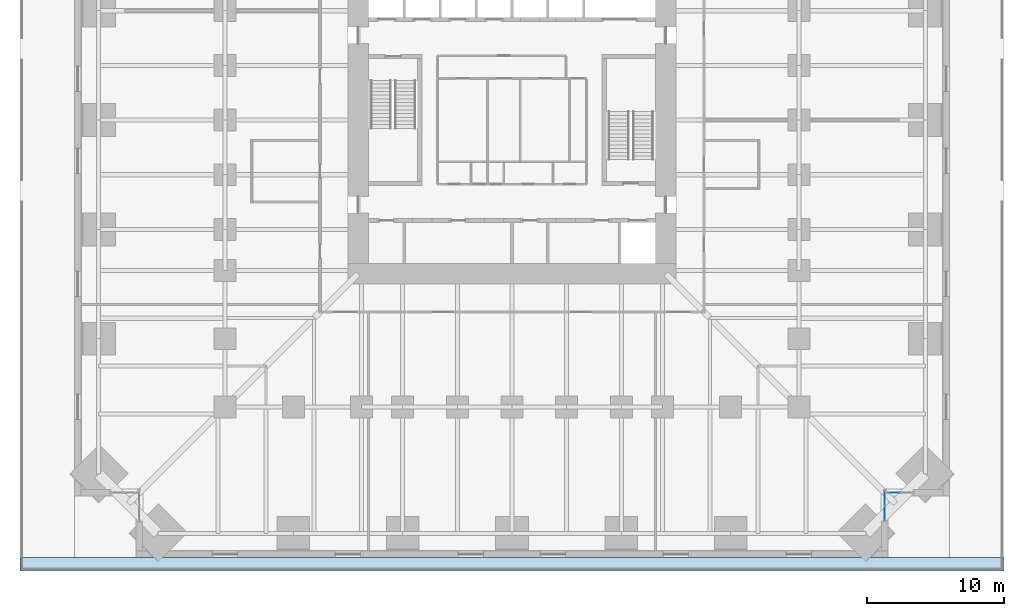
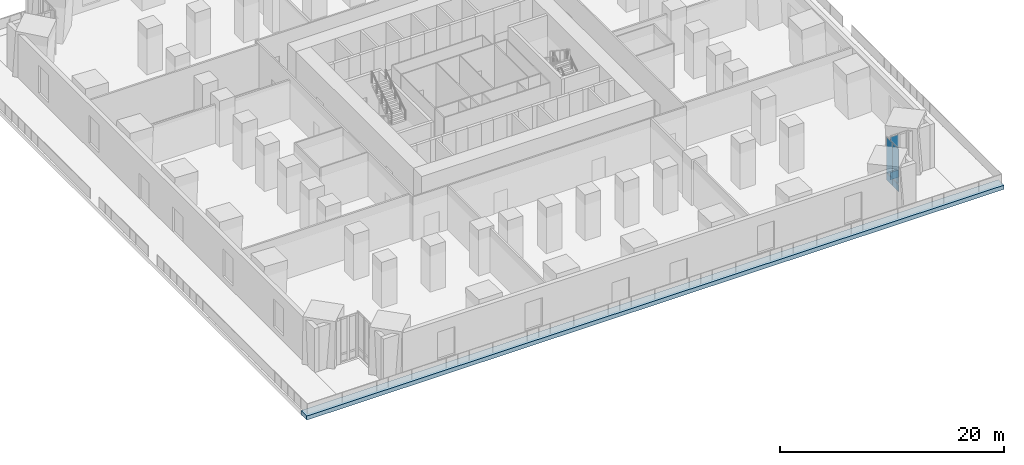
# One storey, part 14 of 26: 6 plates, 1 slab, 2 elements without a shape of their own.
"""IFC4 building model written with IfcOpenShell, lengths in metres."""

import ifcopenshell
import ifcopenshell.guid

model = None  # the IFC model being written
_history = None  # IfcOwnerHistory: only IFC2X3 demands one
_inside = {}  # id of a spatial element -> (the spatial element, [elements in it])
_under = {}  # id of a project, library or spatial element -> (it, [spatial elements below it])
_declared = {}  # id of a project -> (the project, [libraries it declares])
_typed = {}  # id of a type object -> (the type object, [elements of that type])
_made_of = {}  # id of a material, layer set ... -> (it, [elements and type objects made of it])


def new_model(schema):
    """Start an empty IFC model of exactly this schema.

    Asked for "IFC4X3", IfcOpenShell would pick the latest addendum, in which some entities
    have other attributes; the version numbers below select the first issue.
    IFC2X3 requires an IfcOwnerHistory on every rooted entity: one is made here for all.
    """
    global model, _history
    if schema == "IFC4X3":
        model = ifcopenshell.file(schema_version=(4, 3, 0, 0))
    else:
        model = ifcopenshell.file(schema=schema)
    _inside.clear()
    _under.clear()
    _declared.clear()
    _typed.clear()
    _made_of.clear()
    _history = None
    if model.schema == "IFC2X3":
        org = make("IfcOrganization", Name="unknown")
        user = make(
            "IfcPersonAndOrganization",
            ThePerson=make("IfcPerson", FamilyName="unknown"),
            TheOrganization=org,
        )
        app = make(
            "IfcApplication",
            ApplicationDeveloper=org,
            Version="unknown",
            ApplicationFullName="unknown",
            ApplicationIdentifier="unknown",
        )
        _history = make(
            "IfcOwnerHistory",
            OwningUser=user,
            OwningApplication=app,
            ChangeAction="ADDED",
            CreationDate=0,
        )
    return model


def make(cls, **values):
    """One entity of the class cls with the attributes given. An attribute that is None is left unset."""
    return model.create_entity(
        cls, **{name: value for name, value in values.items() if value is not None}
    )


def rooted(cls, **values):
    """An entity with a GlobalId (a new one), such as an element, a storey or a relation."""
    return make(cls, GlobalId=ifcopenshell.guid.new(), OwnerHistory=_history, **values)


def si_unit(unit_type, name, prefix=None):
    """IfcSIUnit, for example si_unit("LENGTHUNIT", "METRE", prefix="MILLI")."""
    return make("IfcSIUnit", UnitType=unit_type, Prefix=prefix, Name=name)


def assignment(units):
    """IfcUnitAssignment: the units of a project."""
    return None if units is None else make("IfcUnitAssignment", Units=units)


def point(xyz):
    """IfcCartesianPoint."""
    return None if xyz is None else make("IfcCartesianPoint", Coordinates=xyz)


def direction(xyz):
    """IfcDirection."""
    return None if xyz is None else make("IfcDirection", DirectionRatios=xyz)


def frame(location, z_axis=None, x_axis=None):
    """IfcAxis2Placement3D, a coordinate frame: its origin and axes. An axis left out is left unset."""
    return make(
        "IfcAxis2Placement3D",
        Location=point(location),
        Axis=direction(z_axis),
        RefDirection=direction(x_axis),
    )


def frame_2d(location, x_axis=None):
    """IfcAxis2Placement2D, a coordinate frame in the plane: its origin and x axis."""
    return make(
        "IfcAxis2Placement2D", Location=point(location), RefDirection=direction(x_axis)
    )


def origin():
    """The frame at (0, 0, 0) with its axes left unset."""
    return frame((0.0, 0.0, 0.0))


def origin_2d():
    """The frame at (0, 0) in the plane with its x axis left unset."""
    return frame_2d((0.0, 0.0))


def place(relative_to, where):
    """IfcLocalPlacement: puts the frame where relative to a parent placement (None: the world)."""
    return make(
        "IfcLocalPlacement", PlacementRelTo=relative_to, RelativePlacement=where
    )


def context(
    kind, dimensions, precision=None, world=None, true_north=None, identifier=None
):
    """IfcGeometricRepresentationContext, for example the 3D "Model" context."""
    return make(
        "IfcGeometricRepresentationContext",
        ContextIdentifier=identifier,
        ContextType=kind,
        CoordinateSpaceDimension=dimensions,
        Precision=precision,
        WorldCoordinateSystem=world,
        TrueNorth=true_north,
    )


def subcontext(parent, identifier, kind, view, scale=None):
    """IfcGeometricRepresentationSubContext, for example "Body" below "Model"."""
    return make(
        "IfcGeometricRepresentationSubContext",
        ContextIdentifier=identifier,
        ContextType=kind,
        ParentContext=parent,
        TargetScale=scale,
        TargetView=view,
    )


def project(units=None, contexts=None):
    """IfcProject with its units and contexts."""
    return rooted(
        "IfcProject",
        Name="project",
        RepresentationContexts=contexts,
        UnitsInContext=assignment(units),
    )


def spatial(cls, under=None, at=None, **own):
    """A site, building, storey or space (cls), placed at a placement, below another one or the project."""
    s = rooted(cls, ObjectPlacement=at, **own)
    if under is not None:
        _under.setdefault(under.id(), (under, []))[1].append(s)
    return s


def polyline(points):
    """IfcPolyline through the points."""
    return make("IfcPolyline", Points=[point(p) for p in points])


def profile(cls, at=None, kind="AREA", **sizes):
    """A parametric profile (cls). Its sizes go by their IFC names, for example OverallWidth=200.0."""
    return make(cls, ProfileType=kind, Position=at, **sizes)


def rectangle(**sizes):
    """IfcRectangleProfileDef."""
    return profile("IfcRectangleProfileDef", **sizes)


def outline(outer, holes=None, kind="AREA"):
    """IfcArbitraryClosedProfileDef: a profile drawn as a closed curve; with holes, ...WithVoids."""
    if holes is None:
        return make("IfcArbitraryClosedProfileDef", ProfileType=kind, OuterCurve=outer)
    return make(
        "IfcArbitraryProfileDefWithVoids",
        ProfileType=kind,
        OuterCurve=outer,
        InnerCurves=holes,
    )


def extrude(swept, where, along, depth):
    """IfcExtrudedAreaSolid: the profile swept, set in the frame where, extruded along a direction by depth."""
    return make(
        "IfcExtrudedAreaSolid",
        SweptArea=swept,
        Position=where,
        ExtrudedDirection=direction(along),
        Depth=depth,
    )


def shape(context_of_items, identifier, shape_type, items):
    """IfcShapeRepresentation: the items that make up one representation, for example the "Body"."""
    return make(
        "IfcShapeRepresentation",
        ContextOfItems=context_of_items,
        RepresentationIdentifier=identifier,
        RepresentationType=shape_type,
        Items=items,
    )


def material(Name=None, Category=None):
    """IfcMaterial."""
    return make("IfcMaterial", Name=Name, Category=Category)


def layer(
    of_material, thickness, ventilated=None, Name=None, Category=None, Priority=None
):
    """IfcMaterialLayer: one layer of a wall or slab, of a material (None: an air gap)."""
    return make(
        "IfcMaterialLayer",
        Material=of_material,
        LayerThickness=thickness,
        IsVentilated=ventilated,
        Name=Name,
        Category=Category,
        Priority=Priority,
    )


def layer_set(layers, Name=None):
    """IfcMaterialLayerSet."""
    return make("IfcMaterialLayerSet", MaterialLayers=layers, LayerSetName=Name)


def made_of(thing, what):
    """Note that an element or type object is made of a material, layer set ...; save() writes the relation."""
    if what is not None:
        _made_of.setdefault(what.id(), (what, []))[1].append(thing)
    return thing


def type_object(cls, material=None, **own):
    """A type object (cls), such as IfcWallType, which elements share."""
    return made_of(rooted(cls, **own), material)


def element(
    cls,
    number,
    at=None,
    inside=None,
    cuts=None,
    type_object=None,
    material=None,
    context=None,
    identifier="Body",
    shape_type=None,
    held_by="IfcProductDefinitionShape",
    body=None,
    shapes=None,
    **own,
):
    """One element of the class cls, such as IfcWall. Its Tag is "e" and its number.

    at: its placement. inside: the storey or other place that contains it. cuts: it is an
    opening in that element (IfcRelVoidsElement). A single representation is given by context,
    identifier, shape_type and body (its items); several are given by shapes. held_by: the class
    of the entity that holds the representations. save() writes the other relations.
    """
    e = rooted(cls, Tag="e%d" % number, ObjectPlacement=at, **own)
    if body is not None:
        shapes = [shape(context, identifier, shape_type, body)]
    if shapes is not None:
        e.Representation = make(held_by, Representations=shapes)
    if inside is not None:
        _inside.setdefault(inside.id(), (inside, []))[1].append(e)
    if cuts is not None:
        rooted(
            "IfcRelVoidsElement", RelatingBuildingElement=cuts, RelatedOpeningElement=e
        )
    if type_object is not None:
        _typed.setdefault(type_object.id(), (type_object, []))[1].append(e)
    return made_of(e, material)


def aggregate(whole, parts):
    """IfcRelAggregates: a whole, such as a stair, and the parts it consists of."""
    return rooted("IfcRelAggregates", RelatingObject=whole, RelatedObjects=parts)


def save(model, path):
    """Write the relations noted so far, then the file.

    IfcRelAggregates (storeys below a building ...), IfcRelContainedInSpatialStructure (elements
    in a storey), IfcRelDefinesByType, IfcRelAssociatesMaterial and IfcRelDeclares: one each for
    every whole, place, type object, material and project.
    """
    for whole, parts in _under.values():
        aggregate(whole, parts)
    for where, things in _inside.values():
        rooted(
            "IfcRelContainedInSpatialStructure",
            RelatedElements=things,
            RelatingStructure=where,
        )
    for kind, things in _typed.values():
        rooted("IfcRelDefinesByType", RelatedObjects=things, RelatingType=kind)
    for what, things in _made_of.values():
        rooted("IfcRelAssociatesMaterial", RelatedObjects=things, RelatingMaterial=what)
    for by, libraries in _declared.values():
        rooted("IfcRelDeclares", RelatingContext=by, RelatedDefinitions=libraries)
    model.write(path)


model = new_model("IFC4")

# Units and contexts
model_context = context("Model", 3, precision=1e-05, world=origin(), true_north=direction((0.0, 1.0)))
body_context = subcontext(model_context, "Body", "Model", "MODEL_VIEW")
ifc_project = project(units=[si_unit("LENGTHUNIT", "METRE"), si_unit("AREAUNIT", "SQUARE_METRE"), si_unit("VOLUMEUNIT", "CUBIC_METRE"), si_unit("PLANEANGLEUNIT", "RADIAN"), si_unit("MASSUNIT", "GRAM", prefix="KILO")], contexts=[model_context])

# Site, building, storey
site_placement = place(None, origin())
site = spatial("IfcSite", under=ifc_project, at=site_placement, CompositionType="ELEMENT")
building_placement = place(site_placement, origin())
building = spatial("IfcBuilding", under=site, at=building_placement, Name="Peilmerk Tower", CompositionType="ELEMENT")
storey_placement = place(building_placement, frame((0.0, 0.0, 16.0)))
storey = spatial("IfcBuildingStorey", under=building, at=storey_placement, Name="L03", CompositionType="ELEMENT", Elevation=16.0)

# Curtain wall, plates
ifc_material_1 = material(Name="Aluminium stick curtain wall", Category="aluminium")
curtain_wall_type = type_object("IfcCurtainWallType", Name="CW1 stick curtain wall, 1500 module", PredefinedType="NOTDEFINED", material=ifc_material_1)
curtain_wall_1_placement = place(storey_placement, origin())
curtain_wall_1 = element("IfcCurtainWall", 1, at=curtain_wall_1_placement, inside=storey, type_object=curtain_wall_type, Name="Curtain wall CW1 SEA L03", PredefinedType="NOTDEFINED")
ifc_material_2 = material(Name="Clear insulated glazing unit", Category="glass")
ifc_layer_1 = layer(ifc_material_2, 0.028076171875)
ifc_layer_set_1 = layer_set([ifc_layer_1], Name="Clear insulated glazing unit")
plate_type = type_object("IfcPlateType", Name="CW1-P 28 glazed panel", PredefinedType="CURTAIN_PANEL", material=ifc_layer_set_1)
plate_1_placement = place(storey_placement, frame((27.27490234375, -27.638427734375, 0.06494140625), z_axis=(0.0, 0.0, 1.0), x_axis=(0.0, -1.0, 0.0)))
plate_1 = element("IfcPlate", 2, at=plate_1_placement, type_object=plate_type, Name="CW1 panel 1.1", PredefinedType="CURTAIN_PANEL", context=body_context, shape_type="SweptSolid", body=[
    extrude(rectangle(XDim=1.046875, YDim=0.028076171875, at=origin_2d()), origin(), (0.0, 0.0, 1.0), 0.802490234375),
])
plate_2_placement = place(storey_placement, frame((27.27490234375, -27.638427734375, 0.9326171875), z_axis=(0.0, 0.0, 1.0), x_axis=(0.0, -1.0, 0.0)))
plate_2 = element("IfcPlate", 3, at=plate_2_placement, type_object=plate_type, Name="CW1 panel 1.2", PredefinedType="CURTAIN_PANEL", context=body_context, shape_type="SweptSolid", body=[
    extrude(rectangle(XDim=1.046875, YDim=0.028076171875, at=origin_2d()), origin(), (0.0, 0.0, 1.0), 3.802490234375),
])
plate_3_placement = place(storey_placement, frame((27.27490234375, -28.750244140625, 0.06494140625), z_axis=(0.0, 0.0, 1.0), x_axis=(0.0, -1.0, 0.0)))
plate_3 = element("IfcPlate", 4, at=plate_3_placement, type_object=plate_type, Name="CW1 panel 2.1", PredefinedType="CURTAIN_PANEL", context=body_context, shape_type="SweptSolid", body=[
    extrude(rectangle(XDim=1.046875, YDim=0.028076171875, at=origin_2d()), origin(), (0.0, 0.0, 1.0), 0.802490234375),
])
plate_4_placement = place(storey_placement, frame((27.27490234375, -28.750244140625, 0.9326171875), z_axis=(0.0, 0.0, 1.0), x_axis=(0.0, -1.0, 0.0)))
plate_4 = element("IfcPlate", 5, at=plate_4_placement, type_object=plate_type, Name="CW1 panel 2.2", PredefinedType="CURTAIN_PANEL", context=body_context, shape_type="SweptSolid", body=[
    extrude(rectangle(XDim=1.046875, YDim=0.028076171875, at=origin_2d()), origin(), (0.0, 0.0, 1.0), 3.802490234375),
])
aggregate(curtain_wall_1, [plate_1, plate_2, plate_3, plate_4])

curtain_wall_2_placement = place(storey_placement, origin())
curtain_wall_2 = element("IfcCurtainWall", 6, at=curtain_wall_2_placement, inside=storey, type_object=curtain_wall_type, Name="Curtain wall CW1 SEB L03", PredefinedType="NOTDEFINED")
plate_5_placement = place(storey_placement, frame((27.975830078125, -27.27490234375, 0.06494140625), z_axis=(0.0, 0.0, 1.0), x_axis=(1.0, 0.0, 0.0)))
plate_5 = element("IfcPlate", 7, at=plate_5_placement, type_object=plate_type, Name="CW1 panel 1.1", PredefinedType="CURTAIN_PANEL", context=body_context, shape_type="SweptSolid", body=[
    extrude(rectangle(XDim=0.82177734375, YDim=0.028076171875, at=origin_2d()), origin(), (0.0, 0.0, 1.0), 0.802490234375),
])
plate_6_placement = place(storey_placement, frame((27.975830078125, -27.27490234375, 0.9326171875), z_axis=(0.0, 0.0, 1.0), x_axis=(1.0, 0.0, 0.0)))
plate_6 = element("IfcPlate", 8, at=plate_6_placement, type_object=plate_type, Name="CW1 panel 1.2", PredefinedType="CURTAIN_PANEL", context=body_context, shape_type="SweptSolid", body=[
    extrude(rectangle(XDim=0.82177734375, YDim=0.028076171875, at=origin_2d()), origin(), (0.0, 0.0, 1.0), 3.802490234375),
])
aggregate(curtain_wall_2, [plate_5, plate_6])

# Slab
ifc_material_3 = material(Name="Concrete C35/45", Category="concrete")
ifc_layer_2 = layer(ifc_material_3, 0.449951171875)
ifc_layer_set_2 = layer_set([ifc_layer_2], Name="Concrete C35/45")
slab_type = type_object("IfcSlabType", Name="TS450 450 terrace roof slab", PredefinedType="ROOF", material=ifc_layer_set_2)
slab_placement = place(storey_placement, frame((0.0, 0.0, -0.449951171875)))
element("IfcSlab", 9, at=slab_placement, inside=storey, type_object=slab_type, Name="Terrace slab L03 S", PredefinedType="ROOF", context=body_context, shape_type="SweptSolid", body=[
    extrude(outline(polyline([(36.0, -33.0), (36.0, -32.0), (-36.0, -32.0), (-36.0, -33.0), (36.0, -33.0)])), origin(), (0.0, 0.0, 1.0), 0.449951171875),
])

save(model, "model.ifc")
